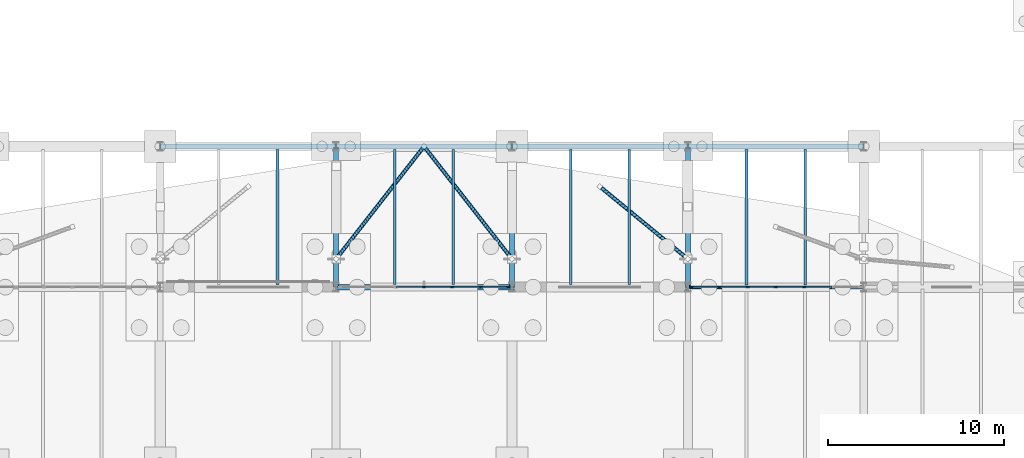
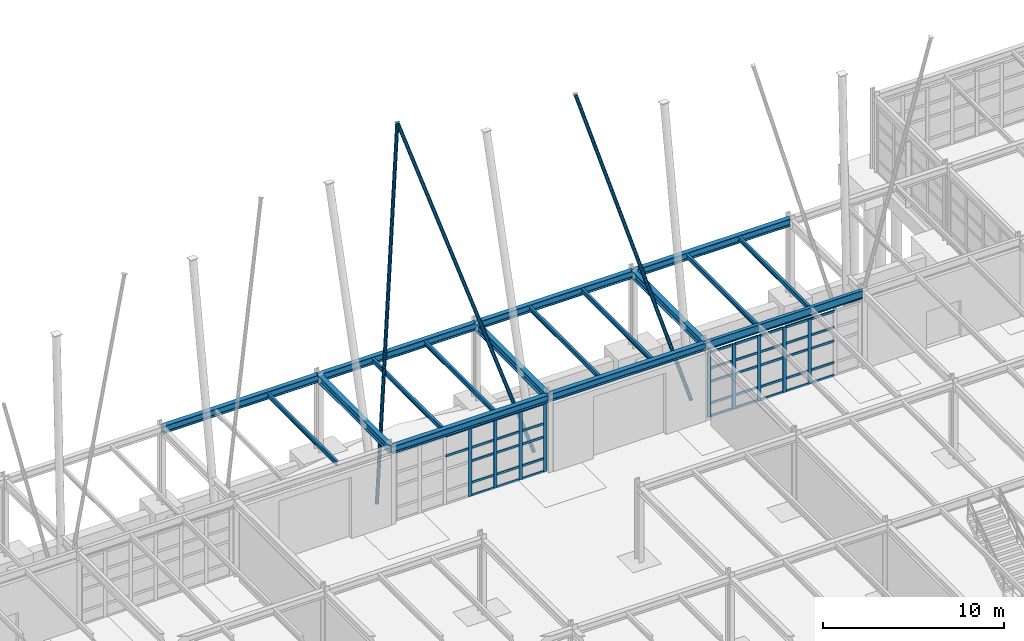
# One storey, part 60 of 145: 54 members, 17 beams, 2 elements without a shape of their own.
"""IFC4 building model written with IfcOpenShell, lengths in metres."""

import ifcopenshell
import ifcopenshell.guid

model = None  # the IFC model being written
_history = None  # IfcOwnerHistory: only IFC2X3 demands one
_inside = {}  # id of a spatial element -> (the spatial element, [elements in it])
_under = {}  # id of a project, library or spatial element -> (it, [spatial elements below it])
_declared = {}  # id of a project -> (the project, [libraries it declares])
_typed = {}  # id of a type object -> (the type object, [elements of that type])
_made_of = {}  # id of a material, layer set ... -> (it, [elements and type objects made of it])


def new_model(schema):
    """Start an empty IFC model of exactly this schema.

    Asked for "IFC4X3", IfcOpenShell would pick the latest addendum, in which some entities
    have other attributes; the version numbers below select the first issue.
    IFC2X3 requires an IfcOwnerHistory on every rooted entity: one is made here for all.
    """
    global model, _history
    if schema == "IFC4X3":
        model = ifcopenshell.file(schema_version=(4, 3, 0, 0))
    else:
        model = ifcopenshell.file(schema=schema)
    _inside.clear()
    _under.clear()
    _declared.clear()
    _typed.clear()
    _made_of.clear()
    _history = None
    if model.schema == "IFC2X3":
        org = make("IfcOrganization", Name="unknown")
        user = make(
            "IfcPersonAndOrganization",
            ThePerson=make("IfcPerson", FamilyName="unknown"),
            TheOrganization=org,
        )
        app = make(
            "IfcApplication",
            ApplicationDeveloper=org,
            Version="unknown",
            ApplicationFullName="unknown",
            ApplicationIdentifier="unknown",
        )
        _history = make(
            "IfcOwnerHistory",
            OwningUser=user,
            OwningApplication=app,
            ChangeAction="ADDED",
            CreationDate=0,
        )
    return model


def make(cls, **values):
    """One entity of the class cls with the attributes given. An attribute that is None is left unset."""
    return model.create_entity(
        cls, **{name: value for name, value in values.items() if value is not None}
    )


def rooted(cls, **values):
    """An entity with a GlobalId (a new one), such as an element, a storey or a relation."""
    return make(cls, GlobalId=ifcopenshell.guid.new(), OwnerHistory=_history, **values)


def si_unit(unit_type, name, prefix=None):
    """IfcSIUnit, for example si_unit("LENGTHUNIT", "METRE", prefix="MILLI")."""
    return make("IfcSIUnit", UnitType=unit_type, Prefix=prefix, Name=name)


def assignment(units):
    """IfcUnitAssignment: the units of a project."""
    return None if units is None else make("IfcUnitAssignment", Units=units)


def point(xyz):
    """IfcCartesianPoint."""
    return None if xyz is None else make("IfcCartesianPoint", Coordinates=xyz)


def direction(xyz):
    """IfcDirection."""
    return None if xyz is None else make("IfcDirection", DirectionRatios=xyz)


def frame(location, z_axis=None, x_axis=None):
    """IfcAxis2Placement3D, a coordinate frame: its origin and axes. An axis left out is left unset."""
    return make(
        "IfcAxis2Placement3D",
        Location=point(location),
        Axis=direction(z_axis),
        RefDirection=direction(x_axis),
    )


def frame_2d(location, x_axis=None):
    """IfcAxis2Placement2D, a coordinate frame in the plane: its origin and x axis."""
    return make(
        "IfcAxis2Placement2D", Location=point(location), RefDirection=direction(x_axis)
    )


def origin():
    """The frame at (0, 0, 0) with its axes left unset."""
    return frame((0.0, 0.0, 0.0))


def origin_2d():
    """The frame at (0, 0) in the plane with its x axis left unset."""
    return frame_2d((0.0, 0.0))


def place(relative_to, where):
    """IfcLocalPlacement: puts the frame where relative to a parent placement (None: the world)."""
    return make(
        "IfcLocalPlacement", PlacementRelTo=relative_to, RelativePlacement=where
    )


def context(
    kind, dimensions, precision=None, world=None, true_north=None, identifier=None
):
    """IfcGeometricRepresentationContext, for example the 3D "Model" context."""
    return make(
        "IfcGeometricRepresentationContext",
        ContextIdentifier=identifier,
        ContextType=kind,
        CoordinateSpaceDimension=dimensions,
        Precision=precision,
        WorldCoordinateSystem=world,
        TrueNorth=true_north,
    )


def subcontext(parent, identifier, kind, view, scale=None):
    """IfcGeometricRepresentationSubContext, for example "Body" below "Model"."""
    return make(
        "IfcGeometricRepresentationSubContext",
        ContextIdentifier=identifier,
        ContextType=kind,
        ParentContext=parent,
        TargetScale=scale,
        TargetView=view,
    )


def project(units=None, contexts=None):
    """IfcProject with its units and contexts."""
    return rooted(
        "IfcProject",
        Name="project",
        RepresentationContexts=contexts,
        UnitsInContext=assignment(units),
    )


def spatial(cls, under=None, at=None, **own):
    """A site, building, storey or space (cls), placed at a placement, below another one or the project."""
    s = rooted(cls, ObjectPlacement=at, **own)
    if under is not None:
        _under.setdefault(under.id(), (under, []))[1].append(s)
    return s


def profile(cls, at=None, kind="AREA", **sizes):
    """A parametric profile (cls). Its sizes go by their IFC names, for example OverallWidth=200.0."""
    return make(cls, ProfileType=kind, Position=at, **sizes)


def rectangle(**sizes):
    """IfcRectangleProfileDef."""
    return profile("IfcRectangleProfileDef", **sizes)


def hollow_circle(**sizes):
    """IfcCircleHollowProfileDef."""
    return profile("IfcCircleHollowProfileDef", **sizes)


def i_section(**sizes):
    """IfcIShapeProfileDef."""
    return profile("IfcIShapeProfileDef", **sizes)


def extrude(swept, where, along, depth):
    """IfcExtrudedAreaSolid: the profile swept, set in the frame where, extruded along a direction by depth."""
    return make(
        "IfcExtrudedAreaSolid",
        SweptArea=swept,
        Position=where,
        ExtrudedDirection=direction(along),
        Depth=depth,
    )


def shape(context_of_items, identifier, shape_type, items):
    """IfcShapeRepresentation: the items that make up one representation, for example the "Body"."""
    return make(
        "IfcShapeRepresentation",
        ContextOfItems=context_of_items,
        RepresentationIdentifier=identifier,
        RepresentationType=shape_type,
        Items=items,
    )


def material(Name=None, Category=None):
    """IfcMaterial."""
    return make("IfcMaterial", Name=Name, Category=Category)


def layer(
    of_material, thickness, ventilated=None, Name=None, Category=None, Priority=None
):
    """IfcMaterialLayer: one layer of a wall or slab, of a material (None: an air gap)."""
    return make(
        "IfcMaterialLayer",
        Material=of_material,
        LayerThickness=thickness,
        IsVentilated=ventilated,
        Name=Name,
        Category=Category,
        Priority=Priority,
    )


def layer_set(layers, Name=None):
    """IfcMaterialLayerSet."""
    return make("IfcMaterialLayerSet", MaterialLayers=layers, LayerSetName=Name)


def material_profile(
    of_material, cross_section, Name=None, Category=None, Priority=None
):
    """IfcMaterialProfile: a cross section and its material."""
    return make(
        "IfcMaterialProfile",
        Name=Name,
        Material=of_material,
        Profile=cross_section,
        Priority=Priority,
        Category=Category,
    )


def profile_set(profiles, Name=None, composite=None):
    """IfcMaterialProfileSet."""
    return make(
        "IfcMaterialProfileSet",
        Name=Name,
        MaterialProfiles=profiles,
        CompositeProfile=composite,
    )


def made_of(thing, what):
    """Note that an element or type object is made of a material, layer set ...; save() writes the relation."""
    if what is not None:
        _made_of.setdefault(what.id(), (what, []))[1].append(thing)
    return thing


def type_object(cls, material=None, **own):
    """A type object (cls), such as IfcWallType, which elements share."""
    return made_of(rooted(cls, **own), material)


def element(
    cls,
    number,
    at=None,
    inside=None,
    cuts=None,
    type_object=None,
    material=None,
    context=None,
    identifier="Body",
    shape_type=None,
    held_by="IfcProductDefinitionShape",
    body=None,
    shapes=None,
    **own,
):
    """One element of the class cls, such as IfcWall. Its Tag is "e" and its number.

    at: its placement. inside: the storey or other place that contains it. cuts: it is an
    opening in that element (IfcRelVoidsElement). A single representation is given by context,
    identifier, shape_type and body (its items); several are given by shapes. held_by: the class
    of the entity that holds the representations. save() writes the other relations.
    """
    e = rooted(cls, Tag="e%d" % number, ObjectPlacement=at, **own)
    if body is not None:
        shapes = [shape(context, identifier, shape_type, body)]
    if shapes is not None:
        e.Representation = make(held_by, Representations=shapes)
    if inside is not None:
        _inside.setdefault(inside.id(), (inside, []))[1].append(e)
    if cuts is not None:
        rooted(
            "IfcRelVoidsElement", RelatingBuildingElement=cuts, RelatedOpeningElement=e
        )
    if type_object is not None:
        _typed.setdefault(type_object.id(), (type_object, []))[1].append(e)
    return made_of(e, material)


def aggregate(whole, parts):
    """IfcRelAggregates: a whole, such as a stair, and the parts it consists of."""
    return rooted("IfcRelAggregates", RelatingObject=whole, RelatedObjects=parts)


def save(model, path):
    """Write the relations noted so far, then the file.

    IfcRelAggregates (storeys below a building ...), IfcRelContainedInSpatialStructure (elements
    in a storey), IfcRelDefinesByType, IfcRelAssociatesMaterial and IfcRelDeclares: one each for
    every whole, place, type object, material and project.
    """
    for whole, parts in _under.values():
        aggregate(whole, parts)
    for where, things in _inside.values():
        rooted(
            "IfcRelContainedInSpatialStructure",
            RelatedElements=things,
            RelatingStructure=where,
        )
    for kind, things in _typed.values():
        rooted("IfcRelDefinesByType", RelatedObjects=things, RelatingType=kind)
    for what, things in _made_of.values():
        rooted("IfcRelAssociatesMaterial", RelatedObjects=things, RelatingMaterial=what)
    for by, libraries in _declared.values():
        rooted("IfcRelDeclares", RelatingContext=by, RelatedDefinitions=libraries)
    model.write(path)


model = new_model("IFC4")

# Units and contexts
model_context = context("Model", 3, precision=1e-05, world=origin(), true_north=direction((0.0, 1.0)))
body_context = subcontext(model_context, "Body", "Model", "MODEL_VIEW")
ifc_project = project(units=[si_unit("LENGTHUNIT", "METRE"), si_unit("AREAUNIT", "SQUARE_METRE"), si_unit("VOLUMEUNIT", "CUBIC_METRE"), si_unit("PLANEANGLEUNIT", "RADIAN"), si_unit("MASSUNIT", "GRAM", prefix="KILO"), si_unit("THERMODYNAMICTEMPERATUREUNIT", "KELVIN"), si_unit("POWERUNIT", "WATT")], contexts=[model_context])

# Site, building, storey
site_placement = place(None, origin())
site = spatial("IfcSite", under=ifc_project, at=site_placement, CompositionType="ELEMENT")
building_placement = place(site_placement, origin())
building = spatial("IfcBuilding", under=site, at=building_placement, Name="Korenveer Ferry Terminal", CompositionType="ELEMENT")
storey_placement = place(building_placement, origin())
storey = spatial("IfcBuildingStorey", under=building, at=storey_placement, Name="L00", CompositionType="ELEMENT", Elevation=0.0)

# Curtain wall, members
ifc_material_1 = material(Name="Unitised bronze-and-glass curtain wall", Category="glass")
ifc_layer_1 = layer(ifc_material_1, 0.219970703125)
ifc_layer_set_1 = layer_set([ifc_layer_1], Name="Unitised bronze-and-glass curtain wall")
curtain_wall_type_1 = type_object("IfcCurtainWallType", Name="ENV-CW-14", PredefinedType="USERDEFINED", material=ifc_layer_set_1)
curtain_wall_1_placement = place(storey_placement, frame((83.179931640625, 100.0, 0.0)))
curtain_wall_1 = element("IfcCurtainWall", 1, at=curtain_wall_1_placement, inside=storey, type_object=curtain_wall_type_1, Name="Lancet curtain wall CWX-L00-X83-93-Y100-100", ObjectType="UNITISED CURTAIN WALL", PredefinedType="USERDEFINED")
ifc_material_2 = material(Name="Anodised bronze aluminium", Category="aluminium")
ifc_material_profile_1 = material_profile(ifc_material_2, rectangle(XDim=0.074951171875, YDim=0.219970703125, at=origin_2d()), Name="ALU 75x220")
ifc_profile_set_1 = profile_set([ifc_material_profile_1], Name="Anodised bronze aluminium")
member_type_1 = type_object("IfcMemberType", Name="ENV-CWM-75X220", PredefinedType="MULLION", material=ifc_profile_set_1)
member_1_placement = place(storey_placement, frame((88.0, 100.0, 0.0), z_axis=(0.0, 0.0, 1.0), x_axis=(0.0, 1.0, 0.0)))
member_1 = element("IfcMember", 2, at=member_1_placement, type_object=member_type_1, Name="CW-14 mullion 4", PredefinedType="MULLION", context=body_context, shape_type="SweptSolid", body=[
    extrude(rectangle(XDim=0.074951171875, YDim=0.219970703125, at=origin_2d()), origin(), (0.0, 0.0, 1.0), 4.6298828125),
])
member_2_placement = place(storey_placement, frame((89.606689453125, 100.0, 0.0), z_axis=(0.0, 0.0, 1.0), x_axis=(0.0, 1.0, 0.0)))
member_2 = element("IfcMember", 3, at=member_2_placement, type_object=member_type_1, Name="CW-14 mullion 5", PredefinedType="MULLION", context=body_context, shape_type="SweptSolid", body=[
    extrude(rectangle(XDim=0.074951171875, YDim=0.219970703125, at=origin_2d()), origin(), (0.0, 0.0, 1.0), 4.6298828125),
])
member_3_placement = place(storey_placement, frame((91.21337890625, 100.0, 0.0), z_axis=(0.0, 0.0, 1.0), x_axis=(0.0, 1.0, 0.0)))
member_3 = element("IfcMember", 4, at=member_3_placement, type_object=member_type_1, Name="CW-14 mullion 6", PredefinedType="MULLION", context=body_context, shape_type="SweptSolid", body=[
    extrude(rectangle(XDim=0.074951171875, YDim=0.219970703125, at=origin_2d()), origin(), (0.0, 0.0, 1.0), 4.6298828125),
])
member_4_placement = place(storey_placement, frame((92.782470703125, 100.0, 0.0), z_axis=(0.0, 0.0, 1.0), x_axis=(0.0, 1.0, 0.0)))
member_4 = element("IfcMember", 5, at=member_4_placement, type_object=member_type_1, Name="CW-14 mullion 7", PredefinedType="MULLION", context=body_context, shape_type="SweptSolid", body=[
    extrude(rectangle(XDim=0.074951171875, YDim=0.219970703125, at=origin_2d()), origin(), (0.0, 0.0, 1.0), 4.6298828125),
])

ifc_layer_2 = layer(ifc_material_1, 0.219970703125)
ifc_layer_set_2 = layer_set([ifc_layer_2], Name="Unitised bronze-and-glass curtain wall")
curtain_wall_type_2 = type_object("IfcCurtainWallType", Name="ENV-CW-15", PredefinedType="USERDEFINED", material=ifc_layer_set_2)
curtain_wall_2_placement = place(storey_placement, frame((103.179931640625, 100.0, 0.0)))
curtain_wall_2 = element("IfcCurtainWall", 6, at=curtain_wall_2_placement, inside=storey, type_object=curtain_wall_type_2, Name="Lancet curtain wall CWX-L00-X103-113-Y100-100", ObjectType="UNITISED CURTAIN WALL", PredefinedType="USERDEFINED")
member_5_placement = place(storey_placement, frame((103.217529296875, 100.0, 0.0), z_axis=(0.0, 0.0, 1.0), x_axis=(0.0, 1.0, 0.0)))
member_5 = element("IfcMember", 7, at=member_5_placement, type_object=member_type_1, Name="CW-15 mullion 1", PredefinedType="MULLION", context=body_context, shape_type="SweptSolid", body=[
    extrude(rectangle(XDim=0.074951171875, YDim=0.219970703125, at=origin_2d()), origin(), (0.0, 0.0, 1.0), 4.3798828125),
])
member_6_placement = place(storey_placement, frame((104.78662109375, 100.0, 0.0), z_axis=(0.0, 0.0, 1.0), x_axis=(0.0, 1.0, 0.0)))
member_6 = element("IfcMember", 8, at=member_6_placement, type_object=member_type_1, Name="CW-15 mullion 2", PredefinedType="MULLION", context=body_context, shape_type="SweptSolid", body=[
    extrude(rectangle(XDim=0.074951171875, YDim=0.219970703125, at=origin_2d()), origin(), (0.0, 0.0, 1.0), 4.3798828125),
])
member_7_placement = place(storey_placement, frame((106.393310546875, 100.0, 0.0), z_axis=(0.0, 0.0, 1.0), x_axis=(0.0, 1.0, 0.0)))
member_7 = element("IfcMember", 9, at=member_7_placement, type_object=member_type_1, Name="CW-15 mullion 3", PredefinedType="MULLION", context=body_context, shape_type="SweptSolid", body=[
    extrude(rectangle(XDim=0.074951171875, YDim=0.219970703125, at=origin_2d()), origin(), (0.0, 0.0, 1.0), 4.3798828125),
])
member_8_placement = place(storey_placement, frame((108.0, 100.0, 0.0), z_axis=(0.0, 0.0, 1.0), x_axis=(0.0, 1.0, 0.0)))
member_8 = element("IfcMember", 10, at=member_8_placement, type_object=member_type_1, Name="CW-15 mullion 4", PredefinedType="MULLION", context=body_context, shape_type="SweptSolid", body=[
    extrude(rectangle(XDim=0.074951171875, YDim=0.219970703125, at=origin_2d()), origin(), (0.0, 0.0, 1.0), 4.3798828125),
])
member_9_placement = place(storey_placement, frame((109.606689453125, 100.0, 0.0), z_axis=(0.0, 0.0, 1.0), x_axis=(0.0, 1.0, 0.0)))
member_9 = element("IfcMember", 11, at=member_9_placement, type_object=member_type_1, Name="CW-15 mullion 5", PredefinedType="MULLION", context=body_context, shape_type="SweptSolid", body=[
    extrude(rectangle(XDim=0.074951171875, YDim=0.219970703125, at=origin_2d()), origin(), (0.0, 0.0, 1.0), 4.3798828125),
])

# Member
ifc_material_profile_2 = material_profile(ifc_material_2, rectangle(XDim=0.074951171875, YDim=0.14990234375, at=origin_2d()), Name="ALU 75x150")
ifc_profile_set_2 = profile_set([ifc_material_profile_2], Name="Anodised bronze aluminium")
member_type_2 = type_object("IfcMemberType", Name="ENV-CWT-75X150", PredefinedType="USERDEFINED", material=ifc_profile_set_2)
member_10_placement = place(storey_placement, frame((86.430908203125, 100.0, 3.25), z_axis=(1.0, 0.0, 0.0), x_axis=(0.0, 1.0, 0.0)))
member_10 = element("IfcMember", 12, at=member_10_placement, type_object=member_type_2, Name="CW-14 transom 3.4", ObjectType="TRANSOM", PredefinedType="USERDEFINED", context=body_context, shape_type="SweptSolid", body=[
    extrude(rectangle(XDim=0.074951171875, YDim=0.14990234375, at=origin_2d()), origin(), (0.0, 0.0, 1.0), 1.531494140625),
])

member_11_placement = place(storey_placement, frame((86.430908203125, 100.0, 4.592529296875), z_axis=(1.0, 0.0, 0.0), x_axis=(0.0, 1.0, 0.0)))
member_11 = element("IfcMember", 13, at=member_11_placement, type_object=member_type_2, Name="CW-14 transom 3.5", ObjectType="TRANSOM", PredefinedType="USERDEFINED", context=body_context, shape_type="SweptSolid", body=[
    extrude(rectangle(XDim=0.074951171875, YDim=0.14990234375, at=origin_2d()), origin(), (0.0, 0.0, 1.0), 1.531494140625),
])

member_12_placement = place(storey_placement, frame((88.03759765625, 100.0, 0.03759765625), z_axis=(1.0, 0.0, 0.0), x_axis=(0.0, 1.0, 0.0)))
member_12 = element("IfcMember", 14, at=member_12_placement, type_object=member_type_2, Name="CW-14 transom 4.1", ObjectType="TRANSOM", PredefinedType="USERDEFINED", context=body_context, shape_type="SweptSolid", body=[
    extrude(rectangle(XDim=0.074951171875, YDim=0.14990234375, at=origin_2d()), origin(), (0.0, 0.0, 1.0), 1.531494140625),
])

member_13_placement = place(storey_placement, frame((88.03759765625, 100.0, 0.89990234375), z_axis=(1.0, 0.0, 0.0), x_axis=(0.0, 1.0, 0.0)))
member_13 = element("IfcMember", 15, at=member_13_placement, type_object=member_type_2, Name="CW-14 transom 4.2", ObjectType="TRANSOM", PredefinedType="USERDEFINED", context=body_context, shape_type="SweptSolid", body=[
    extrude(rectangle(XDim=0.074951171875, YDim=0.14990234375, at=origin_2d()), origin(), (0.0, 0.0, 1.0), 1.531494140625),
])

member_14_placement = place(storey_placement, frame((88.03759765625, 100.0, 2.35009765625), z_axis=(1.0, 0.0, 0.0), x_axis=(0.0, 1.0, 0.0)))
member_14 = element("IfcMember", 16, at=member_14_placement, type_object=member_type_2, Name="CW-14 transom 4.3", ObjectType="TRANSOM", PredefinedType="USERDEFINED", context=body_context, shape_type="SweptSolid", body=[
    extrude(rectangle(XDim=0.074951171875, YDim=0.14990234375, at=origin_2d()), origin(), (0.0, 0.0, 1.0), 1.531494140625),
])

member_15_placement = place(storey_placement, frame((88.03759765625, 100.0, 3.25), z_axis=(1.0, 0.0, 0.0), x_axis=(0.0, 1.0, 0.0)))
member_15 = element("IfcMember", 17, at=member_15_placement, type_object=member_type_2, Name="CW-14 transom 4.4", ObjectType="TRANSOM", PredefinedType="USERDEFINED", context=body_context, shape_type="SweptSolid", body=[
    extrude(rectangle(XDim=0.074951171875, YDim=0.14990234375, at=origin_2d()), origin(), (0.0, 0.0, 1.0), 1.531494140625),
])

member_16_placement = place(storey_placement, frame((88.03759765625, 100.0, 4.592529296875), z_axis=(1.0, 0.0, 0.0), x_axis=(0.0, 1.0, 0.0)))
member_16 = element("IfcMember", 18, at=member_16_placement, type_object=member_type_2, Name="CW-14 transom 4.5", ObjectType="TRANSOM", PredefinedType="USERDEFINED", context=body_context, shape_type="SweptSolid", body=[
    extrude(rectangle(XDim=0.074951171875, YDim=0.14990234375, at=origin_2d()), origin(), (0.0, 0.0, 1.0), 1.531494140625),
])

member_17_placement = place(storey_placement, frame((89.644287109375, 100.0, 0.03759765625), z_axis=(1.0, 0.0, 0.0), x_axis=(0.0, 1.0, 0.0)))
member_17 = element("IfcMember", 19, at=member_17_placement, type_object=member_type_2, Name="CW-14 transom 5.1", ObjectType="TRANSOM", PredefinedType="USERDEFINED", context=body_context, shape_type="SweptSolid", body=[
    extrude(rectangle(XDim=0.074951171875, YDim=0.14990234375, at=origin_2d()), origin(), (0.0, 0.0, 1.0), 1.531494140625),
])

member_18_placement = place(storey_placement, frame((89.644287109375, 100.0, 0.89990234375), z_axis=(1.0, 0.0, 0.0), x_axis=(0.0, 1.0, 0.0)))
member_18 = element("IfcMember", 20, at=member_18_placement, type_object=member_type_2, Name="CW-14 transom 5.2", ObjectType="TRANSOM", PredefinedType="USERDEFINED", context=body_context, shape_type="SweptSolid", body=[
    extrude(rectangle(XDim=0.074951171875, YDim=0.14990234375, at=origin_2d()), origin(), (0.0, 0.0, 1.0), 1.531494140625),
])

member_19_placement = place(storey_placement, frame((89.644287109375, 100.0, 2.35009765625), z_axis=(1.0, 0.0, 0.0), x_axis=(0.0, 1.0, 0.0)))
member_19 = element("IfcMember", 21, at=member_19_placement, type_object=member_type_2, Name="CW-14 transom 5.3", ObjectType="TRANSOM", PredefinedType="USERDEFINED", context=body_context, shape_type="SweptSolid", body=[
    extrude(rectangle(XDim=0.074951171875, YDim=0.14990234375, at=origin_2d()), origin(), (0.0, 0.0, 1.0), 1.531494140625),
])

member_20_placement = place(storey_placement, frame((89.644287109375, 100.0, 3.25), z_axis=(1.0, 0.0, 0.0), x_axis=(0.0, 1.0, 0.0)))
member_20 = element("IfcMember", 22, at=member_20_placement, type_object=member_type_2, Name="CW-14 transom 5.4", ObjectType="TRANSOM", PredefinedType="USERDEFINED", context=body_context, shape_type="SweptSolid", body=[
    extrude(rectangle(XDim=0.074951171875, YDim=0.14990234375, at=origin_2d()), origin(), (0.0, 0.0, 1.0), 1.531494140625),
])

member_21_placement = place(storey_placement, frame((89.644287109375, 100.0, 4.592529296875), z_axis=(1.0, 0.0, 0.0), x_axis=(0.0, 1.0, 0.0)))
member_21 = element("IfcMember", 23, at=member_21_placement, type_object=member_type_2, Name="CW-14 transom 5.5", ObjectType="TRANSOM", PredefinedType="USERDEFINED", context=body_context, shape_type="SweptSolid", body=[
    extrude(rectangle(XDim=0.074951171875, YDim=0.14990234375, at=origin_2d()), origin(), (0.0, 0.0, 1.0), 1.531494140625),
])

member_22_placement = place(storey_placement, frame((91.250732421875, 100.0, 0.03759765625), z_axis=(1.0, 0.0, 0.0), x_axis=(0.0, 1.0, 0.0)))
member_22 = element("IfcMember", 24, at=member_22_placement, type_object=member_type_2, Name="CW-14 transom 6.1", ObjectType="TRANSOM", PredefinedType="USERDEFINED", context=body_context, shape_type="SweptSolid", body=[
    extrude(rectangle(XDim=0.074951171875, YDim=0.14990234375, at=origin_2d()), origin(), (0.0, 0.0, 1.0), 1.494384765625),
])

member_23_placement = place(storey_placement, frame((91.250732421875, 100.0, 0.89990234375), z_axis=(1.0, 0.0, 0.0), x_axis=(0.0, 1.0, 0.0)))
member_23 = element("IfcMember", 25, at=member_23_placement, type_object=member_type_2, Name="CW-14 transom 6.2", ObjectType="TRANSOM", PredefinedType="USERDEFINED", context=body_context, shape_type="SweptSolid", body=[
    extrude(rectangle(XDim=0.074951171875, YDim=0.14990234375, at=origin_2d()), origin(), (0.0, 0.0, 1.0), 1.494384765625),
])

member_24_placement = place(storey_placement, frame((91.250732421875, 100.0, 2.35009765625), z_axis=(1.0, 0.0, 0.0), x_axis=(0.0, 1.0, 0.0)))
member_24 = element("IfcMember", 26, at=member_24_placement, type_object=member_type_2, Name="CW-14 transom 6.3", ObjectType="TRANSOM", PredefinedType="USERDEFINED", context=body_context, shape_type="SweptSolid", body=[
    extrude(rectangle(XDim=0.074951171875, YDim=0.14990234375, at=origin_2d()), origin(), (0.0, 0.0, 1.0), 1.494384765625),
])

member_25_placement = place(storey_placement, frame((91.250732421875, 100.0, 3.25), z_axis=(1.0, 0.0, 0.0), x_axis=(0.0, 1.0, 0.0)))
member_25 = element("IfcMember", 27, at=member_25_placement, type_object=member_type_2, Name="CW-14 transom 6.4", ObjectType="TRANSOM", PredefinedType="USERDEFINED", context=body_context, shape_type="SweptSolid", body=[
    extrude(rectangle(XDim=0.074951171875, YDim=0.14990234375, at=origin_2d()), origin(), (0.0, 0.0, 1.0), 1.494384765625),
])

member_26_placement = place(storey_placement, frame((91.250732421875, 100.0, 4.592529296875), z_axis=(1.0, 0.0, 0.0), x_axis=(0.0, 1.0, 0.0)))
member_26 = element("IfcMember", 28, at=member_26_placement, type_object=member_type_2, Name="CW-14 transom 6.5", ObjectType="TRANSOM", PredefinedType="USERDEFINED", context=body_context, shape_type="SweptSolid", body=[
    extrude(rectangle(XDim=0.074951171875, YDim=0.14990234375, at=origin_2d()), origin(), (0.0, 0.0, 1.0), 1.494384765625),
])

aggregate(curtain_wall_1, [member_1, member_2, member_3, member_4, member_10, member_11, member_12, member_13, member_14, member_15, member_16, member_17, member_18, member_19, member_20, member_21, member_22, member_23, member_24, member_25, member_26])

member_27_placement = place(storey_placement, frame((103.2548828125, 100.0, 0.03759765625), z_axis=(1.0, 0.0, 0.0), x_axis=(0.0, 1.0, 0.0)))
member_27 = element("IfcMember", 29, at=member_27_placement, type_object=member_type_2, Name="CW-15 transom 1.1", ObjectType="TRANSOM", PredefinedType="USERDEFINED", context=body_context, shape_type="SweptSolid", body=[
    extrude(rectangle(XDim=0.074951171875, YDim=0.14990234375, at=origin_2d()), origin(), (0.0, 0.0, 1.0), 1.494384765625),
])

member_28_placement = place(storey_placement, frame((103.2548828125, 100.0, 0.89990234375), z_axis=(1.0, 0.0, 0.0), x_axis=(0.0, 1.0, 0.0)))
member_28 = element("IfcMember", 30, at=member_28_placement, type_object=member_type_2, Name="CW-15 transom 1.2", ObjectType="TRANSOM", PredefinedType="USERDEFINED", context=body_context, shape_type="SweptSolid", body=[
    extrude(rectangle(XDim=0.074951171875, YDim=0.14990234375, at=origin_2d()), origin(), (0.0, 0.0, 1.0), 1.494384765625),
])

member_29_placement = place(storey_placement, frame((103.2548828125, 100.0, 2.35009765625), z_axis=(1.0, 0.0, 0.0), x_axis=(0.0, 1.0, 0.0)))
member_29 = element("IfcMember", 31, at=member_29_placement, type_object=member_type_2, Name="CW-15 transom 1.3", ObjectType="TRANSOM", PredefinedType="USERDEFINED", context=body_context, shape_type="SweptSolid", body=[
    extrude(rectangle(XDim=0.074951171875, YDim=0.14990234375, at=origin_2d()), origin(), (0.0, 0.0, 1.0), 1.494384765625),
])

member_30_placement = place(storey_placement, frame((103.2548828125, 100.0, 3.25), z_axis=(1.0, 0.0, 0.0), x_axis=(0.0, 1.0, 0.0)))
member_30 = element("IfcMember", 32, at=member_30_placement, type_object=member_type_2, Name="CW-15 transom 1.4", ObjectType="TRANSOM", PredefinedType="USERDEFINED", context=body_context, shape_type="SweptSolid", body=[
    extrude(rectangle(XDim=0.074951171875, YDim=0.14990234375, at=origin_2d()), origin(), (0.0, 0.0, 1.0), 1.494384765625),
])

member_31_placement = place(storey_placement, frame((103.2548828125, 100.0, 4.342529296875), z_axis=(1.0, 0.0, 0.0), x_axis=(0.0, 1.0, 0.0)))
member_31 = element("IfcMember", 33, at=member_31_placement, type_object=member_type_2, Name="CW-15 transom 1.5", ObjectType="TRANSOM", PredefinedType="USERDEFINED", context=body_context, shape_type="SweptSolid", body=[
    extrude(rectangle(XDim=0.074951171875, YDim=0.14990234375, at=origin_2d()), origin(), (0.0, 0.0, 1.0), 1.494384765625),
])

member_32_placement = place(storey_placement, frame((104.82421875, 100.0, 0.03759765625), z_axis=(1.0, 0.0, 0.0), x_axis=(0.0, 1.0, 0.0)))
member_32 = element("IfcMember", 34, at=member_32_placement, type_object=member_type_2, Name="CW-15 transom 2.1", ObjectType="TRANSOM", PredefinedType="USERDEFINED", context=body_context, shape_type="SweptSolid", body=[
    extrude(rectangle(XDim=0.074951171875, YDim=0.14990234375, at=origin_2d()), origin(), (0.0, 0.0, 1.0), 1.531494140625),
])

member_33_placement = place(storey_placement, frame((104.82421875, 100.0, 0.89990234375), z_axis=(1.0, 0.0, 0.0), x_axis=(0.0, 1.0, 0.0)))
member_33 = element("IfcMember", 35, at=member_33_placement, type_object=member_type_2, Name="CW-15 transom 2.2", ObjectType="TRANSOM", PredefinedType="USERDEFINED", context=body_context, shape_type="SweptSolid", body=[
    extrude(rectangle(XDim=0.074951171875, YDim=0.14990234375, at=origin_2d()), origin(), (0.0, 0.0, 1.0), 1.531494140625),
])

member_34_placement = place(storey_placement, frame((104.82421875, 100.0, 2.35009765625), z_axis=(1.0, 0.0, 0.0), x_axis=(0.0, 1.0, 0.0)))
member_34 = element("IfcMember", 36, at=member_34_placement, type_object=member_type_2, Name="CW-15 transom 2.3", ObjectType="TRANSOM", PredefinedType="USERDEFINED", context=body_context, shape_type="SweptSolid", body=[
    extrude(rectangle(XDim=0.074951171875, YDim=0.14990234375, at=origin_2d()), origin(), (0.0, 0.0, 1.0), 1.531494140625),
])

member_35_placement = place(storey_placement, frame((104.82421875, 100.0, 3.25), z_axis=(1.0, 0.0, 0.0), x_axis=(0.0, 1.0, 0.0)))
member_35 = element("IfcMember", 37, at=member_35_placement, type_object=member_type_2, Name="CW-15 transom 2.4", ObjectType="TRANSOM", PredefinedType="USERDEFINED", context=body_context, shape_type="SweptSolid", body=[
    extrude(rectangle(XDim=0.074951171875, YDim=0.14990234375, at=origin_2d()), origin(), (0.0, 0.0, 1.0), 1.531494140625),
])

member_36_placement = place(storey_placement, frame((104.82421875, 100.0, 4.342529296875), z_axis=(1.0, 0.0, 0.0), x_axis=(0.0, 1.0, 0.0)))
member_36 = element("IfcMember", 38, at=member_36_placement, type_object=member_type_2, Name="CW-15 transom 2.5", ObjectType="TRANSOM", PredefinedType="USERDEFINED", context=body_context, shape_type="SweptSolid", body=[
    extrude(rectangle(XDim=0.074951171875, YDim=0.14990234375, at=origin_2d()), origin(), (0.0, 0.0, 1.0), 1.531494140625),
])

member_37_placement = place(storey_placement, frame((106.430908203125, 100.0, 0.03759765625), z_axis=(1.0, 0.0, 0.0), x_axis=(0.0, 1.0, 0.0)))
member_37 = element("IfcMember", 39, at=member_37_placement, type_object=member_type_2, Name="CW-15 transom 3.1", ObjectType="TRANSOM", PredefinedType="USERDEFINED", context=body_context, shape_type="SweptSolid", body=[
    extrude(rectangle(XDim=0.074951171875, YDim=0.14990234375, at=origin_2d()), origin(), (0.0, 0.0, 1.0), 1.531494140625),
])

member_38_placement = place(storey_placement, frame((106.430908203125, 100.0, 0.89990234375), z_axis=(1.0, 0.0, 0.0), x_axis=(0.0, 1.0, 0.0)))
member_38 = element("IfcMember", 40, at=member_38_placement, type_object=member_type_2, Name="CW-15 transom 3.2", ObjectType="TRANSOM", PredefinedType="USERDEFINED", context=body_context, shape_type="SweptSolid", body=[
    extrude(rectangle(XDim=0.074951171875, YDim=0.14990234375, at=origin_2d()), origin(), (0.0, 0.0, 1.0), 1.531494140625),
])

member_39_placement = place(storey_placement, frame((106.430908203125, 100.0, 2.35009765625), z_axis=(1.0, 0.0, 0.0), x_axis=(0.0, 1.0, 0.0)))
member_39 = element("IfcMember", 41, at=member_39_placement, type_object=member_type_2, Name="CW-15 transom 3.3", ObjectType="TRANSOM", PredefinedType="USERDEFINED", context=body_context, shape_type="SweptSolid", body=[
    extrude(rectangle(XDim=0.074951171875, YDim=0.14990234375, at=origin_2d()), origin(), (0.0, 0.0, 1.0), 1.531494140625),
])

member_40_placement = place(storey_placement, frame((106.430908203125, 100.0, 3.25), z_axis=(1.0, 0.0, 0.0), x_axis=(0.0, 1.0, 0.0)))
member_40 = element("IfcMember", 42, at=member_40_placement, type_object=member_type_2, Name="CW-15 transom 3.4", ObjectType="TRANSOM", PredefinedType="USERDEFINED", context=body_context, shape_type="SweptSolid", body=[
    extrude(rectangle(XDim=0.074951171875, YDim=0.14990234375, at=origin_2d()), origin(), (0.0, 0.0, 1.0), 1.531494140625),
])

member_41_placement = place(storey_placement, frame((106.430908203125, 100.0, 4.342529296875), z_axis=(1.0, 0.0, 0.0), x_axis=(0.0, 1.0, 0.0)))
member_41 = element("IfcMember", 43, at=member_41_placement, type_object=member_type_2, Name="CW-15 transom 3.5", ObjectType="TRANSOM", PredefinedType="USERDEFINED", context=body_context, shape_type="SweptSolid", body=[
    extrude(rectangle(XDim=0.074951171875, YDim=0.14990234375, at=origin_2d()), origin(), (0.0, 0.0, 1.0), 1.531494140625),
])

member_42_placement = place(storey_placement, frame((108.03759765625, 100.0, 0.03759765625), z_axis=(1.0, 0.0, 0.0), x_axis=(0.0, 1.0, 0.0)))
member_42 = element("IfcMember", 44, at=member_42_placement, type_object=member_type_2, Name="CW-15 transom 4.1", ObjectType="TRANSOM", PredefinedType="USERDEFINED", context=body_context, shape_type="SweptSolid", body=[
    extrude(rectangle(XDim=0.074951171875, YDim=0.14990234375, at=origin_2d()), origin(), (0.0, 0.0, 1.0), 1.531494140625),
])

member_43_placement = place(storey_placement, frame((108.03759765625, 100.0, 0.89990234375), z_axis=(1.0, 0.0, 0.0), x_axis=(0.0, 1.0, 0.0)))
member_43 = element("IfcMember", 45, at=member_43_placement, type_object=member_type_2, Name="CW-15 transom 4.2", ObjectType="TRANSOM", PredefinedType="USERDEFINED", context=body_context, shape_type="SweptSolid", body=[
    extrude(rectangle(XDim=0.074951171875, YDim=0.14990234375, at=origin_2d()), origin(), (0.0, 0.0, 1.0), 1.531494140625),
])

member_44_placement = place(storey_placement, frame((108.03759765625, 100.0, 2.35009765625), z_axis=(1.0, 0.0, 0.0), x_axis=(0.0, 1.0, 0.0)))
member_44 = element("IfcMember", 46, at=member_44_placement, type_object=member_type_2, Name="CW-15 transom 4.3", ObjectType="TRANSOM", PredefinedType="USERDEFINED", context=body_context, shape_type="SweptSolid", body=[
    extrude(rectangle(XDim=0.074951171875, YDim=0.14990234375, at=origin_2d()), origin(), (0.0, 0.0, 1.0), 1.531494140625),
])

member_45_placement = place(storey_placement, frame((108.03759765625, 100.0, 3.25), z_axis=(1.0, 0.0, 0.0), x_axis=(0.0, 1.0, 0.0)))
member_45 = element("IfcMember", 47, at=member_45_placement, type_object=member_type_2, Name="CW-15 transom 4.4", ObjectType="TRANSOM", PredefinedType="USERDEFINED", context=body_context, shape_type="SweptSolid", body=[
    extrude(rectangle(XDim=0.074951171875, YDim=0.14990234375, at=origin_2d()), origin(), (0.0, 0.0, 1.0), 1.531494140625),
])

member_46_placement = place(storey_placement, frame((108.03759765625, 100.0, 4.342529296875), z_axis=(1.0, 0.0, 0.0), x_axis=(0.0, 1.0, 0.0)))
member_46 = element("IfcMember", 48, at=member_46_placement, type_object=member_type_2, Name="CW-15 transom 4.5", ObjectType="TRANSOM", PredefinedType="USERDEFINED", context=body_context, shape_type="SweptSolid", body=[
    extrude(rectangle(XDim=0.074951171875, YDim=0.14990234375, at=origin_2d()), origin(), (0.0, 0.0, 1.0), 1.531494140625),
])

member_47_placement = place(storey_placement, frame((109.644287109375, 100.0, 0.03759765625), z_axis=(1.0, 0.0, 0.0), x_axis=(0.0, 1.0, 0.0)))
member_47 = element("IfcMember", 49, at=member_47_placement, type_object=member_type_2, Name="CW-15 transom 5.1", ObjectType="TRANSOM", PredefinedType="USERDEFINED", context=body_context, shape_type="SweptSolid", body=[
    extrude(rectangle(XDim=0.074951171875, YDim=0.14990234375, at=origin_2d()), origin(), (0.0, 0.0, 1.0), 1.531494140625),
])

member_48_placement = place(storey_placement, frame((109.644287109375, 100.0, 0.89990234375), z_axis=(1.0, 0.0, 0.0), x_axis=(0.0, 1.0, 0.0)))
member_48 = element("IfcMember", 50, at=member_48_placement, type_object=member_type_2, Name="CW-15 transom 5.2", ObjectType="TRANSOM", PredefinedType="USERDEFINED", context=body_context, shape_type="SweptSolid", body=[
    extrude(rectangle(XDim=0.074951171875, YDim=0.14990234375, at=origin_2d()), origin(), (0.0, 0.0, 1.0), 1.531494140625),
])

member_49_placement = place(storey_placement, frame((109.644287109375, 100.0, 2.35009765625), z_axis=(1.0, 0.0, 0.0), x_axis=(0.0, 1.0, 0.0)))
member_49 = element("IfcMember", 51, at=member_49_placement, type_object=member_type_2, Name="CW-15 transom 5.3", ObjectType="TRANSOM", PredefinedType="USERDEFINED", context=body_context, shape_type="SweptSolid", body=[
    extrude(rectangle(XDim=0.074951171875, YDim=0.14990234375, at=origin_2d()), origin(), (0.0, 0.0, 1.0), 1.531494140625),
])

member_50_placement = place(storey_placement, frame((109.644287109375, 100.0, 3.25), z_axis=(1.0, 0.0, 0.0), x_axis=(0.0, 1.0, 0.0)))
member_50 = element("IfcMember", 52, at=member_50_placement, type_object=member_type_2, Name="CW-15 transom 5.4", ObjectType="TRANSOM", PredefinedType="USERDEFINED", context=body_context, shape_type="SweptSolid", body=[
    extrude(rectangle(XDim=0.074951171875, YDim=0.14990234375, at=origin_2d()), origin(), (0.0, 0.0, 1.0), 1.531494140625),
])

member_51_placement = place(storey_placement, frame((109.644287109375, 100.0, 4.342529296875), z_axis=(1.0, 0.0, 0.0), x_axis=(0.0, 1.0, 0.0)))
member_51 = element("IfcMember", 53, at=member_51_placement, type_object=member_type_2, Name="CW-15 transom 5.5", ObjectType="TRANSOM", PredefinedType="USERDEFINED", context=body_context, shape_type="SweptSolid", body=[
    extrude(rectangle(XDim=0.074951171875, YDim=0.14990234375, at=origin_2d()), origin(), (0.0, 0.0, 1.0), 1.531494140625),
])

aggregate(curtain_wall_2, [member_5, member_6, member_7, member_8, member_9, member_27, member_28, member_29, member_30, member_31, member_32, member_33, member_34, member_35, member_36, member_37, member_38, member_39, member_40, member_41, member_42, member_43, member_44, member_45, member_46, member_47, member_48, member_49, member_50, member_51])

# Beams
ifc_material_3 = material(Name="Steel S355", Category="steel")
ifc_material_profile_3 = material_profile(ifc_material_3, i_section(OverallWidth=0.300048828125, OverallDepth=0.5, WebThickness=0.014404296875, FlangeThickness=0.028076171875, FilletRadius=0.027099609375, at=origin_2d()), Name="HEB 500")
ifc_profile_set_3 = profile_set([ifc_material_profile_3], Name="Steel S355")
beam_type_1 = type_object("IfcBeamType", Name="STR-BM-HEB500", PredefinedType="BEAM", material=ifc_profile_set_3)
for number, where, z_axis, x_axis, name in (
    (54, (83.02001953125, 100.0, 4.909912109375), (1.0, 0.0, 0.0), (0.0, 1.0, 0.0), "Primary X girder BMX-L01-X83-93-Y100"),
    (55, (93.02001953125, 100.0, 4.909912109375), (1.0, 0.0, 0.0), (0.0, 1.0, 0.0), "Primary X girder BMX-L01-X93-103-Y100"),
    (56, (73.02001953125, 108.0, 4.909912109375), (1.0, 0.0, 0.0), (0.0, 1.0, 0.0), "Primary X girder BMX-L01-X73-83-Y108"),
    (57, (83.02001953125, 108.0, 4.909912109375), (1.0, 0.0, 0.0), (0.0, 1.0, 0.0), "Primary X girder BMX-L01-X83-93-Y108"),
    (58, (93.02001953125, 108.0, 4.909912109375), (1.0, 0.0, 0.0), (0.0, 1.0, 0.0), "Primary X girder BMX-L01-X93-103-Y108"),
    (59, (103.02001953125, 108.0, 4.909912109375), (1.0, 0.0, 0.0), (0.0, 1.0, 0.0), "Primary X girder BMX-L01-X103-113-Y108"),
):
    element("IfcBeam", number, at=place(storey_placement, frame(where, z_axis=z_axis, x_axis=x_axis)), inside=storey, type_object=beam_type_1, Name=name, PredefinedType="BEAM", context=body_context, shape_type="SweptSolid", body=[
        extrude(i_section(OverallWidth=0.300048828125, OverallDepth=0.5, WebThickness=0.014404296875, FlangeThickness=0.028076171875, FilletRadius=0.027099609375, at=origin_2d()), origin(), (0.0, 0.0, 1.0), 9.9599609375),
    ])
for number, where, z_axis, x_axis, name in (
    (60, (83.0, 100.02001953125, 4.909912109375), (0.0, 1.0, 0.0), (-1.0, 0.0, 0.0), "Primary Y girder BMY-L01-X83-Y100-108"),
    (61, (93.0, 100.02001953125, 4.909912109375), (0.0, 1.0, 0.0), (-1.0, 0.0, 0.0), "Primary Y girder BMY-L01-X93-Y100-108"),
    (62, (103.0, 100.02001953125, 4.909912109375), (0.0, 1.0, 0.0), (-1.0, 0.0, 0.0), "Primary Y girder BMY-L01-X103-Y100-108"),
):
    element("IfcBeam", number, at=place(storey_placement, frame(where, z_axis=z_axis, x_axis=x_axis)), inside=storey, type_object=beam_type_1, Name=name, PredefinedType="BEAM", context=body_context, shape_type="SweptSolid", body=[
        extrude(i_section(OverallWidth=0.300048828125, OverallDepth=0.5, WebThickness=0.014404296875, FlangeThickness=0.028076171875, FilletRadius=0.027099609375, at=origin_2d()), origin(), (0.0, 0.0, 1.0), 7.9599609375),
    ])
ifc_material_profile_4 = material_profile(ifc_material_3, i_section(OverallWidth=0.2099609375, OverallDepth=0.550048828125, WebThickness=0.010986328125, FlangeThickness=0.01708984375, FilletRadius=0.02392578125, at=origin_2d()), Name="IPE 550")
ifc_profile_set_4 = profile_set([ifc_material_profile_4], Name="Steel S355")
beam_type_2 = type_object("IfcBeamType", Name="STR-BM-IPE550", PredefinedType="BEAM", material=ifc_profile_set_4)
beam_placement = place(storey_placement, frame((103.02001953125, 100.0, 4.885009765625), z_axis=(1.0, 0.0, 0.0), x_axis=(0.0, 1.0, 0.0)))
element("IfcBeam", 63, at=beam_placement, inside=storey, type_object=beam_type_2, Name="Primary X girder BMX-L01-X103-113-Y100", PredefinedType="BEAM", context=body_context, shape_type="SweptSolid", body=[
    extrude(i_section(OverallWidth=0.2099609375, OverallDepth=0.550048828125, WebThickness=0.010986328125, FlangeThickness=0.01708984375, FilletRadius=0.02392578125, at=origin_2d()), origin(), (0.0, 0.0, 1.0), 9.9599609375),
])
ifc_material_profile_5 = material_profile(ifc_material_3, i_section(OverallWidth=0.14990234375, OverallDepth=0.300048828125, WebThickness=0.007080078125, FlangeThickness=0.0107421875, FilletRadius=0.014892578125, at=origin_2d()), Name="IPE 300")
ifc_profile_set_5 = profile_set([ifc_material_profile_5], Name="Steel S355")
beam_type_3 = type_object("IfcBeamType", Name="STR-JST-IPE300", PredefinedType="JOIST", material=ifc_profile_set_5)
for number, where, z_axis, x_axis, name in (
    (64, (79.666748046875, 100.159912109375, 5.010009765625), (0.0, 1.0, 0.0), (-1.0, 0.0, 0.0), "Secondary composite joist JST-L01-X797-Y100-108"),
    (65, (86.333251953125, 100.159912109375, 5.010009765625), (0.0, 1.0, 0.0), (-1.0, 0.0, 0.0), "Secondary composite joist JST-L01-X863-Y100-108"),
    (66, (89.666748046875, 100.159912109375, 5.010009765625), (0.0, 1.0, 0.0), (-1.0, 0.0, 0.0), "Secondary composite joist JST-L01-X897-Y100-108"),
    (67, (96.333251953125, 100.159912109375, 5.010009765625), (0.0, 1.0, 0.0), (-1.0, 0.0, 0.0), "Secondary composite joist JST-L01-X963-Y100-108"),
    (68, (99.666748046875, 100.159912109375, 5.010009765625), (0.0, 1.0, 0.0), (-1.0, 0.0, 0.0), "Secondary composite joist JST-L01-X997-Y100-108"),
):
    element("IfcBeam", number, at=place(storey_placement, frame(where, z_axis=z_axis, x_axis=x_axis)), inside=storey, type_object=beam_type_3, Name=name, PredefinedType="JOIST", context=body_context, shape_type="SweptSolid", body=[
        extrude(i_section(OverallWidth=0.14990234375, OverallDepth=0.300048828125, WebThickness=0.007080078125, FlangeThickness=0.0107421875, FilletRadius=0.014892578125, at=origin_2d()), origin(), (0.0, 0.0, 1.0), 7.68017578125),
    ])
for number, where, z_axis, x_axis, name in (
    (69, (106.333251953125, 100.114990234375, 5.010009765625), (0.0, 1.0, 0.0), (-1.0, 0.0, 0.0), "Secondary composite joist JST-L01-X1063-Y100-108"),
    (70, (109.666748046875, 100.114990234375, 5.010009765625), (0.0, 1.0, 0.0), (-1.0, 0.0, 0.0), "Secondary composite joist JST-L01-X1097-Y100-108"),
):
    element("IfcBeam", number, at=place(storey_placement, frame(where, z_axis=z_axis, x_axis=x_axis)), inside=storey, type_object=beam_type_3, Name=name, PredefinedType="JOIST", context=body_context, shape_type="SweptSolid", body=[
        extrude(i_section(OverallWidth=0.14990234375, OverallDepth=0.300048828125, WebThickness=0.007080078125, FlangeThickness=0.0107421875, FilletRadius=0.014892578125, at=origin_2d()), origin(), (0.0, 0.0, 1.0), 7.72509765625),
    ])

# Members
ifc_material_profile_6 = material_profile(ifc_material_3, hollow_circle(Radius=0.109619140625, WallThickness=0.012451171875, at=origin_2d()), Name="CHS 219.1x12.5")
ifc_profile_set_6 = profile_set([ifc_material_profile_6], Name="Steel S355")
member_type_3 = type_object("IfcMemberType", Name="STR-STT-CHS219", PredefinedType="STRUT", material=ifc_profile_set_6)
for number, where, z_axis, x_axis, name in (
    (71, (83.0, 101.60009765625, 0.25), (0.231151092538, 0.295868883778, 0.926839131689), (-0.788019816239, 0.615649875509, 0.0), "Waterfront prow V-strut VSTR-PRDG-88-83"),
    (72, (93.0, 101.60009765625, 0.25), (-0.231151092538, 0.295868883778, 0.926839131689), (-0.788019816239, -0.615649875509, 0.0), "Waterfront prow V-strut VSTR-PRDG-88-93"),
):
    element("IfcMember", number, at=place(storey_placement, frame(where, z_axis=z_axis, x_axis=x_axis)), inside=storey, type_object=member_type_3, Name=name, PredefinedType="STRUT", context=body_context, shape_type="SweptSolid", body=[
        extrude(hollow_circle(Radius=0.109619140625, WallThickness=0.012451171875, at=origin_2d()), origin(), (0.0, 0.0, 1.0), 21.630859375),
    ])
member_52_placement = place(storey_placement, frame((103.0, 101.60009765625, 0.25), z_axis=(-0.239570540575, 0.197130993641, 0.950655209545), x_axis=(-0.635395303583, -0.772187029277, 0.0)))
element("IfcMember", 73, at=member_52_placement, inside=storey, type_object=member_type_3, Name="Waterfront prow V-strut VSTR-PRDG-98-103", PredefinedType="STRUT", context=body_context, shape_type="SweptSolid", body=[
    extrude(hollow_circle(Radius=0.109619140625, WallThickness=0.012451171875, at=origin_2d()), origin(), (0.0, 0.0, 1.0), 20.87060546875),
])

save(model, "model.ifc")
